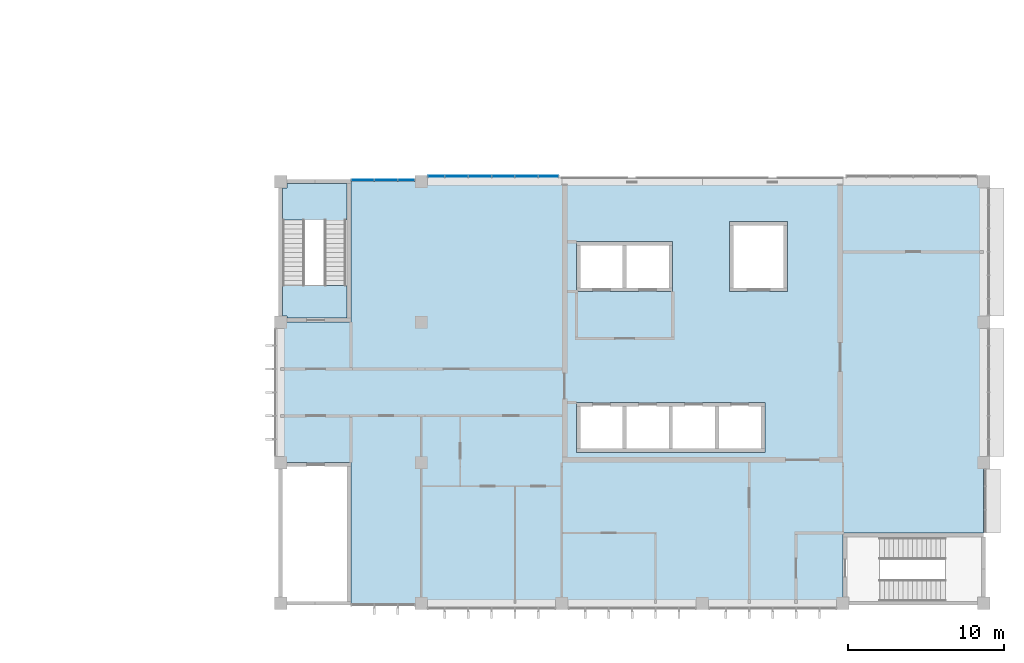
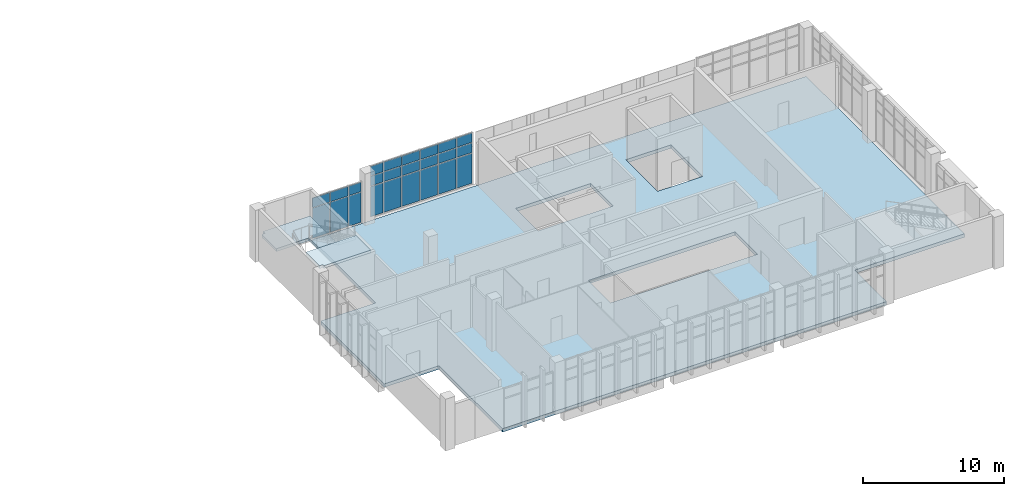
# One storey, part 9 of 19: 24 plates, 3 slabs, 3 elements without a shape of their own.
"""IFC4 building model written with IfcOpenShell, lengths in metres."""

from ifc_helpers import new_model, si_unit, direction, frame, origin, origin_2d, place, context, subcontext, project, spatial, polyline, rectangle, outline, extrude, material, layer, layer_set, type_object, element, aggregate, save


model = new_model("IFC4")

# Units and contexts
model_context = context("Model", 3, precision=1e-05, world=origin(), true_north=direction((0.0, 1.0)))
body_context = subcontext(model_context, "Body", "Model", "MODEL_VIEW")
ifc_project = project(units=[si_unit("LENGTHUNIT", "METRE"), si_unit("AREAUNIT", "SQUARE_METRE"), si_unit("VOLUMEUNIT", "CUBIC_METRE"), si_unit("PLANEANGLEUNIT", "RADIAN"), si_unit("MASSUNIT", "GRAM", prefix="KILO")], contexts=[model_context])

# Site, building, storey
site_placement = place(None, origin())
site = spatial("IfcSite", under=ifc_project, at=site_placement, CompositionType="ELEMENT")
building_placement = place(site_placement, origin())
building = spatial("IfcBuilding", under=site, at=building_placement, Name="Guidao Yard Department Store", CompositionType="ELEMENT")
storey_placement = place(building_placement, frame((0.0, 0.0, 33.0)))
storey = spatial("IfcBuildingStorey", under=building, at=storey_placement, Name="L07", CompositionType="ELEMENT", Elevation=33.0)

# Slab
ifc_material_1 = material(Name="Concrete C35", Category="concrete")
ifc_layer_1 = layer(ifc_material_1, 0.300048828125)
ifc_layer_set_1 = layer_set([ifc_layer_1], Name="Flat slab 300 C35")
slab_type_1 = type_object("IfcSlabType", Name="Flat slab 300 C35", PredefinedType="FLOOR", material=ifc_layer_set_1)
slab_1_placement = place(storey_placement, frame((0.0, 0.0, -0.300048828125)))
element("IfcSlab", 1, at=slab_1_placement, inside=storey, type_object=slab_type_1, Name="Slab L07-O", PredefinedType="FLOOR", context=body_context, shape_type="SweptSolid", body=[
    extrude(outline(polyline([(171.0, 4.5), (162.0, 4.5), (162.0, 0.0), (130.5, 0.0), (130.5, 9.0), (126.0, 9.0), (126.0, 18.0), (130.5, 18.0), (130.5, 27.0), (171.0, 27.0), (171.0, 4.5)]), holes=[polyline([(150.85009765625, 12.85009765625), (148.14990234375, 12.85009765625), (147.89990234375, 12.85009765625), (144.949951171875, 12.85009765625), (144.949951171875, 9.64990234375), (147.89990234375, 9.64990234375), (148.14990234375, 9.64990234375), (150.85009765625, 9.64990234375), (151.10009765625, 9.64990234375), (153.800048828125, 9.64990234375), (154.050048828125, 9.64990234375), (157.0, 9.64990234375), (157.0, 12.85009765625), (154.050048828125, 12.85009765625), (153.800048828125, 12.85009765625), (151.10009765625, 12.85009765625), (150.85009765625, 12.85009765625)]), polyline([(147.89990234375, 23.14990234375), (144.949951171875, 23.14990234375), (144.949951171875, 19.949951171875), (147.89990234375, 19.949951171875), (148.14990234375, 19.949951171875), (151.10009765625, 19.949951171875), (151.10009765625, 23.14990234375), (148.14990234375, 23.14990234375), (147.89990234375, 23.14990234375)]), polyline([(158.449951171875, 19.949951171875), (158.449951171875, 24.449951171875), (154.75, 24.449951171875), (154.75, 19.949951171875), (158.449951171875, 19.949951171875)])]), origin(), (0.0, 0.0, 1.0), 0.300048828125),
])

# Curtain wall, plates
ifc_material_2 = material(Name="Aluminium and glass", Category="aluminium")
ifc_layer_2 = layer(ifc_material_2, 0.159912109375)
ifc_layer_set_2 = layer_set([ifc_layer_2], Name="Unitised curtain wall CW4 1500 module")
curtain_wall_type = type_object("IfcCurtainWallType", Name="Unitised curtain wall CW4 1500 module", PredefinedType="NOTDEFINED", material=ifc_layer_set_2)
curtain_wall_1_placement = place(storey_placement, origin())
curtain_wall_1 = element("IfcCurtainWall", 2, at=curtain_wall_1_placement, inside=storey, type_object=curtain_wall_type, Name="Unitised curtain wall", PredefinedType="NOTDEFINED")
ifc_material_3 = material(Name="Aluminium 6063-T5 faced insulated spandrel", Category="aluminium")
ifc_layer_3 = layer(ifc_material_3, 0.06005859375)
ifc_layer_set_3 = layer_set([ifc_layer_3], Name="Spandrel panel SP1 insulated opaque")
plate_type_1 = type_object("IfcPlateType", Name="Spandrel panel SP1 insulated opaque", PredefinedType="CURTAIN_PANEL", material=ifc_layer_set_3)
plate_1_placement = place(storey_placement, frame((131.264892578125, 27.10009765625, 2.72998046875), z_axis=(0.0, 0.0, 1.0), x_axis=(1.0, 0.0, 0.0)))
plate_1 = element("IfcPlate", 3, at=plate_1_placement, type_object=plate_type_1, Name="CW-OW-L07-06 panel 1.2", PredefinedType="CURTAIN_PANEL", context=body_context, shape_type="SweptSolid", body=[
    extrude(rectangle(XDim=1.409912109375, YDim=0.06005859375, at=origin_2d()), origin(), (0.0, 0.0, 1.0), 0.81005859375),
])
plate_2_placement = place(storey_placement, frame((132.75, 27.10009765625, 2.72998046875), z_axis=(0.0, 0.0, 1.0), x_axis=(1.0, 0.0, 0.0)))
plate_2 = element("IfcPlate", 4, at=plate_2_placement, type_object=plate_type_1, Name="CW-OW-L07-06 panel 2.2", PredefinedType="CURTAIN_PANEL", context=body_context, shape_type="SweptSolid", body=[
    extrude(rectangle(XDim=1.43994140625, YDim=0.06005859375, at=origin_2d()), origin(), (0.0, 0.0, 1.0), 0.81005859375),
])
plate_3_placement = place(storey_placement, frame((134.034912109375, 27.10009765625, 2.72998046875), z_axis=(0.0, 0.0, 1.0), x_axis=(1.0, 0.0, 0.0)))
plate_3 = element("IfcPlate", 5, at=plate_3_placement, type_object=plate_type_1, Name="CW-OW-L07-06 panel 3.2", PredefinedType="CURTAIN_PANEL", context=body_context, shape_type="SweptSolid", body=[
    extrude(rectangle(XDim=1.010009765625, YDim=0.06005859375, at=origin_2d()), origin(), (0.0, 0.0, 1.0), 0.81005859375),
])

curtain_wall_2_placement = place(storey_placement, origin())
curtain_wall_2 = element("IfcCurtainWall", 6, at=curtain_wall_2_placement, inside=storey, type_object=curtain_wall_type, Name="Unitised curtain wall", PredefinedType="NOTDEFINED")
plate_4_placement = place(storey_placement, frame((135.965087890625, 27.330078125, 3.6298828125), z_axis=(0.0, 0.0, 1.0), x_axis=(1.0, 0.0, 0.0)))
plate_4 = element("IfcPlate", 7, at=plate_4_placement, type_object=plate_type_1, Name="CW-OW-L07-07 panel 1.3", PredefinedType="CURTAIN_PANEL", context=body_context, shape_type="SweptSolid", body=[
    extrude(rectangle(XDim=1.010009765625, YDim=0.06005859375, at=origin_2d()), origin(), (0.0, 0.0, 1.0), 0.81005859375),
])
plate_5_placement = place(storey_placement, frame((137.25, 27.330078125, 3.6298828125), z_axis=(0.0, 0.0, 1.0), x_axis=(1.0, 0.0, 0.0)))
plate_5 = element("IfcPlate", 8, at=plate_5_placement, type_object=plate_type_1, Name="CW-OW-L07-07 panel 2.3", PredefinedType="CURTAIN_PANEL", context=body_context, shape_type="SweptSolid", body=[
    extrude(rectangle(XDim=1.43994140625, YDim=0.06005859375, at=origin_2d()), origin(), (0.0, 0.0, 1.0), 0.81005859375),
])
plate_6_placement = place(storey_placement, frame((138.75, 27.330078125, 3.6298828125), z_axis=(0.0, 0.0, 1.0), x_axis=(1.0, 0.0, 0.0)))
plate_6 = element("IfcPlate", 9, at=plate_6_placement, type_object=plate_type_1, Name="CW-OW-L07-07 panel 3.3", PredefinedType="CURTAIN_PANEL", context=body_context, shape_type="SweptSolid", body=[
    extrude(rectangle(XDim=1.43994140625, YDim=0.06005859375, at=origin_2d()), origin(), (0.0, 0.0, 1.0), 0.81005859375),
])
plate_7_placement = place(storey_placement, frame((140.25, 27.330078125, 3.6298828125), z_axis=(0.0, 0.0, 1.0), x_axis=(1.0, 0.0, 0.0)))
plate_7 = element("IfcPlate", 10, at=plate_7_placement, type_object=plate_type_1, Name="CW-OW-L07-07 panel 4.3", PredefinedType="CURTAIN_PANEL", context=body_context, shape_type="SweptSolid", body=[
    extrude(rectangle(XDim=1.43994140625, YDim=0.06005859375, at=origin_2d()), origin(), (0.0, 0.0, 1.0), 0.81005859375),
])
plate_8_placement = place(storey_placement, frame((141.75, 27.330078125, 3.6298828125), z_axis=(0.0, 0.0, 1.0), x_axis=(1.0, 0.0, 0.0)))
plate_8 = element("IfcPlate", 11, at=plate_8_placement, type_object=plate_type_1, Name="CW-OW-L07-07 panel 5.3", PredefinedType="CURTAIN_PANEL", context=body_context, shape_type="SweptSolid", body=[
    extrude(rectangle(XDim=1.43994140625, YDim=0.06005859375, at=origin_2d()), origin(), (0.0, 0.0, 1.0), 0.81005859375),
])
plate_9_placement = place(storey_placement, frame((143.1474609375, 27.330078125, 3.6298828125), z_axis=(0.0, 0.0, 1.0), x_axis=(1.0, 0.0, 0.0)))
plate_9 = element("IfcPlate", 12, at=plate_9_placement, type_object=plate_type_1, Name="CW-OW-L07-07 panel 6.3", PredefinedType="CURTAIN_PANEL", context=body_context, shape_type="SweptSolid", body=[
    extrude(rectangle(XDim=1.235107421875, YDim=0.06005859375, at=origin_2d()), origin(), (0.0, 0.0, 1.0), 0.81005859375),
])

# Stair, slabs
ifc_material_4 = material(Name="Concrete C35", Category="concrete")
stair_type = type_object("IfcStairType", Name="Stair half-turn two-flight 1400 wide 4.5 m rise", PredefinedType="HALF_TURN_STAIR", material=ifc_material_4)
stair_placement = place(storey_placement, origin())
stair = element("IfcStair", 13, at=stair_placement, inside=storey, type_object=stair_type, Name="Stair O3 L07 to RF", PredefinedType="HALF_TURN_STAIR")
ifc_material_5 = material(Name="Concrete C35", Category="concrete")
ifc_layer_4 = layer(ifc_material_5, 0.25)
ifc_layer_set_4 = layer_set([ifc_layer_4], Name="Stair landing RC 250 C35")
slab_type_2 = type_object("IfcSlabType", Name="Stair landing RC 250 C35", PredefinedType="LANDING", material=ifc_layer_set_4)
slab_2_placement = place(storey_placement, frame((0.0, 0.0, 2.0)))
slab_2 = element("IfcSlab", 14, at=slab_2_placement, type_object=slab_type_2, Name="SO3-L07 landing 1", PredefinedType="LANDING", context=body_context, shape_type="SweptSolid", body=[
    extrude(outline(polyline([(128.800048828125, 24.550048828125), (127.52490234375, 24.550048828125), (127.52490234375, 24.5400390625), (126.125, 24.5400390625), (126.125, 24.550048828125), (126.125, 26.60009765625), (126.39990234375, 26.60009765625), (126.39990234375, 26.875), (130.25, 26.875), (130.25, 24.550048828125), (130.199951171875, 24.550048828125), (130.199951171875, 22.719970703125), (128.800048828125, 22.719970703125), (128.800048828125, 24.550048828125)])), origin(), (0.0, 0.0, 1.0), 0.25),
])
slab_3_placement = place(storey_placement, frame((0.0, 0.0, 4.25)))
slab_3 = element("IfcSlab", 15, at=slab_3_placement, type_object=slab_type_2, Name="SO3-L07 landing 2", PredefinedType="LANDING", context=body_context, shape_type="SweptSolid", body=[
    extrude(outline(polyline([(128.800048828125, 20.35009765625), (128.800048828125, 20.360107421875), (130.25, 20.360107421875), (130.25, 18.25), (128.800048828125, 18.25), (126.39990234375, 18.25), (126.39990234375, 18.39990234375), (126.125, 18.39990234375), (126.125, 20.35009765625), (128.800048828125, 20.35009765625)])), origin(), (0.0, 0.0, 1.0), 0.25),
])
aggregate(stair, [slab_2, slab_3])

# Plate
ifc_material_6 = material(Name="Laminated heat-soaked tempered glass", Category="glass")
ifc_layer_5 = layer(ifc_material_6, 0.017578125)
ifc_layer_set_5 = layer_set([ifc_layer_5], Name="Vision glass VG1 laminated heat-soaked tempered 8+8")
plate_type_2 = type_object("IfcPlateType", Name="Vision glass VG1 laminated heat-soaked tempered 8+8", PredefinedType="CURTAIN_PANEL", material=ifc_layer_set_5)
plate_10_placement = place(storey_placement, frame((131.264892578125, 27.10009765625, 0.06005859375), z_axis=(0.0, 0.0, 1.0), x_axis=(1.0, 0.0, 0.0)))
plate_10 = element("IfcPlate", 16, at=plate_10_placement, type_object=plate_type_2, Name="CW-OW-L07-06 panel 1.1", PredefinedType="CURTAIN_PANEL", context=body_context, shape_type="SweptSolid", body=[
    extrude(rectangle(XDim=1.409912109375, YDim=0.017578125, at=origin_2d()), origin(), (0.0, 0.0, 1.0), 2.610107421875),
])

plate_11_placement = place(storey_placement, frame((132.75, 27.10009765625, 0.06005859375), z_axis=(0.0, 0.0, 1.0), x_axis=(1.0, 0.0, 0.0)))
plate_11 = element("IfcPlate", 17, at=plate_11_placement, type_object=plate_type_2, Name="CW-OW-L07-06 panel 2.1", PredefinedType="CURTAIN_PANEL", context=body_context, shape_type="SweptSolid", body=[
    extrude(rectangle(XDim=1.43994140625, YDim=0.017578125, at=origin_2d()), origin(), (0.0, 0.0, 1.0), 2.610107421875),
])

plate_12_placement = place(storey_placement, frame((134.034912109375, 27.10009765625, 0.06005859375), z_axis=(0.0, 0.0, 1.0), x_axis=(1.0, 0.0, 0.0)))
plate_12 = element("IfcPlate", 18, at=plate_12_placement, type_object=plate_type_2, Name="CW-OW-L07-06 panel 3.1", PredefinedType="CURTAIN_PANEL", context=body_context, shape_type="SweptSolid", body=[
    extrude(rectangle(XDim=1.010009765625, YDim=0.017578125, at=origin_2d()), origin(), (0.0, 0.0, 1.0), 2.610107421875),
])

aggregate(curtain_wall_1, [plate_10, plate_1, plate_11, plate_2, plate_12, plate_3])

plate_13_placement = place(storey_placement, frame((135.965087890625, 27.330078125, 0.06005859375), z_axis=(0.0, 0.0, 1.0), x_axis=(1.0, 0.0, 0.0)))
plate_13 = element("IfcPlate", 19, at=plate_13_placement, type_object=plate_type_2, Name="CW-OW-L07-07 panel 1.1", PredefinedType="CURTAIN_PANEL", context=body_context, shape_type="SweptSolid", body=[
    extrude(rectangle(XDim=1.010009765625, YDim=0.017578125, at=origin_2d()), origin(), (0.0, 0.0, 1.0), 2.610107421875),
])

plate_14_placement = place(storey_placement, frame((135.965087890625, 27.330078125, 2.72998046875), z_axis=(0.0, 0.0, 1.0), x_axis=(1.0, 0.0, 0.0)))
plate_14 = element("IfcPlate", 20, at=plate_14_placement, type_object=plate_type_2, Name="CW-OW-L07-07 panel 1.2", PredefinedType="CURTAIN_PANEL", context=body_context, shape_type="SweptSolid", body=[
    extrude(rectangle(XDim=1.010009765625, YDim=0.017578125, at=origin_2d()), origin(), (0.0, 0.0, 1.0), 0.840087890625),
])

plate_15_placement = place(storey_placement, frame((137.25, 27.330078125, 0.06005859375), z_axis=(0.0, 0.0, 1.0), x_axis=(1.0, 0.0, 0.0)))
plate_15 = element("IfcPlate", 21, at=plate_15_placement, type_object=plate_type_2, Name="CW-OW-L07-07 panel 2.1", PredefinedType="CURTAIN_PANEL", context=body_context, shape_type="SweptSolid", body=[
    extrude(rectangle(XDim=1.43994140625, YDim=0.017578125, at=origin_2d()), origin(), (0.0, 0.0, 1.0), 2.610107421875),
])

plate_16_placement = place(storey_placement, frame((137.25, 27.330078125, 2.72998046875), z_axis=(0.0, 0.0, 1.0), x_axis=(1.0, 0.0, 0.0)))
plate_16 = element("IfcPlate", 22, at=plate_16_placement, type_object=plate_type_2, Name="CW-OW-L07-07 panel 2.2", PredefinedType="CURTAIN_PANEL", context=body_context, shape_type="SweptSolid", body=[
    extrude(rectangle(XDim=1.43994140625, YDim=0.017578125, at=origin_2d()), origin(), (0.0, 0.0, 1.0), 0.840087890625),
])

plate_17_placement = place(storey_placement, frame((138.75, 27.330078125, 0.06005859375), z_axis=(0.0, 0.0, 1.0), x_axis=(1.0, 0.0, 0.0)))
plate_17 = element("IfcPlate", 23, at=plate_17_placement, type_object=plate_type_2, Name="CW-OW-L07-07 panel 3.1", PredefinedType="CURTAIN_PANEL", context=body_context, shape_type="SweptSolid", body=[
    extrude(rectangle(XDim=1.43994140625, YDim=0.017578125, at=origin_2d()), origin(), (0.0, 0.0, 1.0), 2.610107421875),
])

plate_18_placement = place(storey_placement, frame((138.75, 27.330078125, 2.72998046875), z_axis=(0.0, 0.0, 1.0), x_axis=(1.0, 0.0, 0.0)))
plate_18 = element("IfcPlate", 24, at=plate_18_placement, type_object=plate_type_2, Name="CW-OW-L07-07 panel 3.2", PredefinedType="CURTAIN_PANEL", context=body_context, shape_type="SweptSolid", body=[
    extrude(rectangle(XDim=1.43994140625, YDim=0.017578125, at=origin_2d()), origin(), (0.0, 0.0, 1.0), 0.840087890625),
])

plate_19_placement = place(storey_placement, frame((140.25, 27.330078125, 0.06005859375), z_axis=(0.0, 0.0, 1.0), x_axis=(1.0, 0.0, 0.0)))
plate_19 = element("IfcPlate", 25, at=plate_19_placement, type_object=plate_type_2, Name="CW-OW-L07-07 panel 4.1", PredefinedType="CURTAIN_PANEL", context=body_context, shape_type="SweptSolid", body=[
    extrude(rectangle(XDim=1.43994140625, YDim=0.017578125, at=origin_2d()), origin(), (0.0, 0.0, 1.0), 2.610107421875),
])

plate_20_placement = place(storey_placement, frame((140.25, 27.330078125, 2.72998046875), z_axis=(0.0, 0.0, 1.0), x_axis=(1.0, 0.0, 0.0)))
plate_20 = element("IfcPlate", 26, at=plate_20_placement, type_object=plate_type_2, Name="CW-OW-L07-07 panel 4.2", PredefinedType="CURTAIN_PANEL", context=body_context, shape_type="SweptSolid", body=[
    extrude(rectangle(XDim=1.43994140625, YDim=0.017578125, at=origin_2d()), origin(), (0.0, 0.0, 1.0), 0.840087890625),
])

plate_21_placement = place(storey_placement, frame((141.75, 27.330078125, 0.06005859375), z_axis=(0.0, 0.0, 1.0), x_axis=(1.0, 0.0, 0.0)))
plate_21 = element("IfcPlate", 27, at=plate_21_placement, type_object=plate_type_2, Name="CW-OW-L07-07 panel 5.1", PredefinedType="CURTAIN_PANEL", context=body_context, shape_type="SweptSolid", body=[
    extrude(rectangle(XDim=1.43994140625, YDim=0.017578125, at=origin_2d()), origin(), (0.0, 0.0, 1.0), 2.610107421875),
])

plate_22_placement = place(storey_placement, frame((141.75, 27.330078125, 2.72998046875), z_axis=(0.0, 0.0, 1.0), x_axis=(1.0, 0.0, 0.0)))
plate_22 = element("IfcPlate", 28, at=plate_22_placement, type_object=plate_type_2, Name="CW-OW-L07-07 panel 5.2", PredefinedType="CURTAIN_PANEL", context=body_context, shape_type="SweptSolid", body=[
    extrude(rectangle(XDim=1.43994140625, YDim=0.017578125, at=origin_2d()), origin(), (0.0, 0.0, 1.0), 0.840087890625),
])

plate_23_placement = place(storey_placement, frame((143.1474609375, 27.330078125, 0.06005859375), z_axis=(0.0, 0.0, 1.0), x_axis=(1.0, 0.0, 0.0)))
plate_23 = element("IfcPlate", 29, at=plate_23_placement, type_object=plate_type_2, Name="CW-OW-L07-07 panel 6.1", PredefinedType="CURTAIN_PANEL", context=body_context, shape_type="SweptSolid", body=[
    extrude(rectangle(XDim=1.235107421875, YDim=0.017578125, at=origin_2d()), origin(), (0.0, 0.0, 1.0), 2.610107421875),
])

plate_24_placement = place(storey_placement, frame((143.1474609375, 27.330078125, 2.72998046875), z_axis=(0.0, 0.0, 1.0), x_axis=(1.0, 0.0, 0.0)))
plate_24 = element("IfcPlate", 30, at=plate_24_placement, type_object=plate_type_2, Name="CW-OW-L07-07 panel 6.2", PredefinedType="CURTAIN_PANEL", context=body_context, shape_type="SweptSolid", body=[
    extrude(rectangle(XDim=1.235107421875, YDim=0.017578125, at=origin_2d()), origin(), (0.0, 0.0, 1.0), 0.840087890625),
])

aggregate(curtain_wall_2, [plate_13, plate_14, plate_4, plate_15, plate_16, plate_5, plate_17, plate_18, plate_6, plate_19, plate_20, plate_7, plate_21, plate_22, plate_8, plate_23, plate_24, plate_9])

save(model, "model.ifc")
